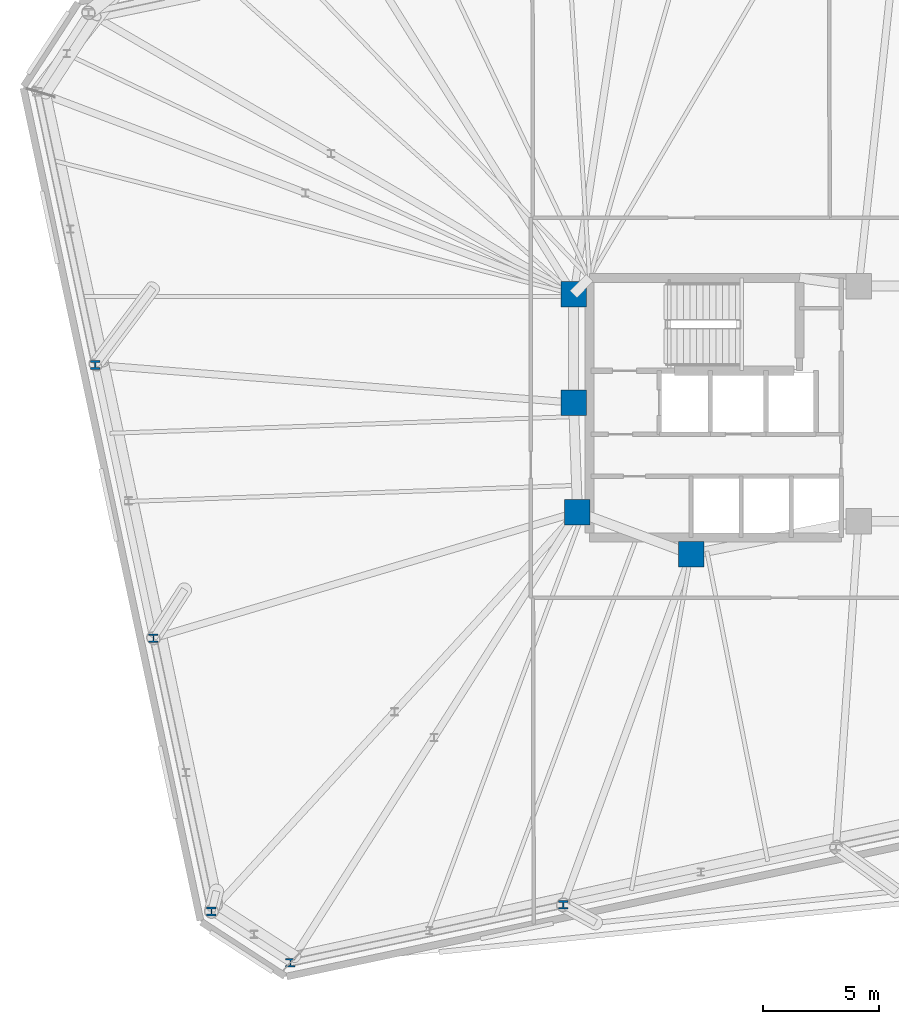
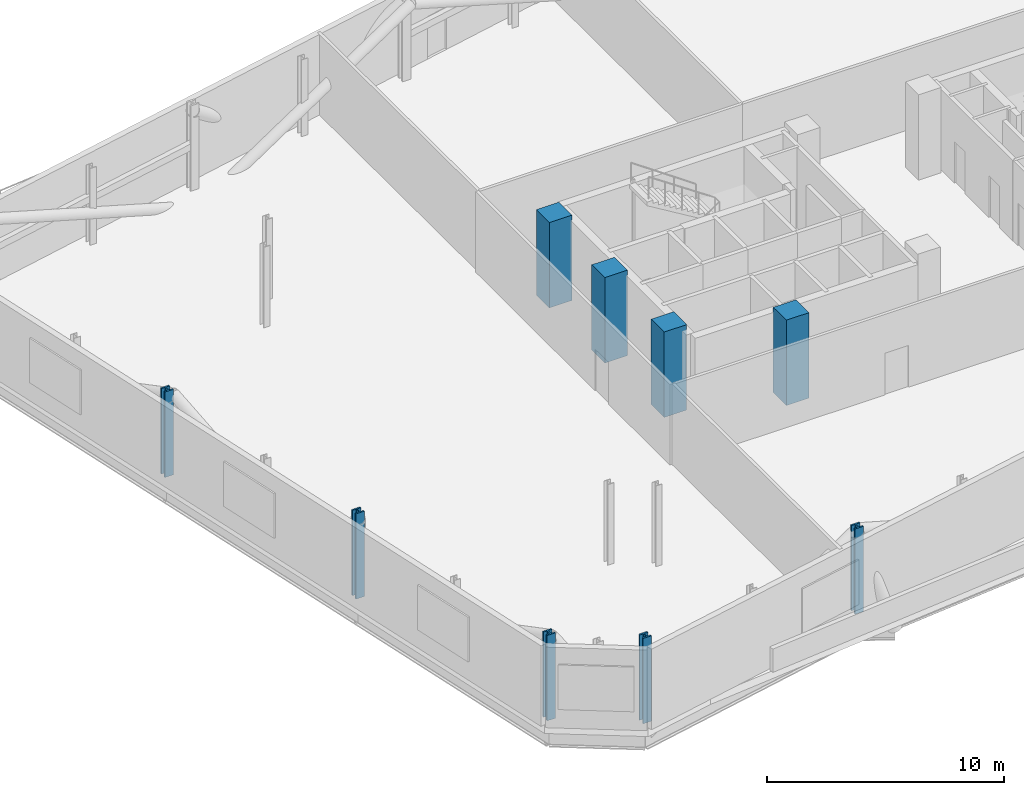
# One storey, part 1 of 19: 9 columns.
"""IFC4 building model written with IfcOpenShell, lengths in metres."""

from ifc_helpers import new_model, si_unit, direction, frame, origin, origin_2d, place, context, subcontext, project, spatial, rectangle, i_section, extrude, material, material_profile, profile_set, type_object, element, save


model = new_model("IFC4")

# Units and contexts
model_context = context("Model", 3, precision=1e-05, world=origin(), true_north=direction((0.0, 1.0)))
body_context = subcontext(model_context, "Body", "Model", "MODEL_VIEW")
ifc_project = project(units=[si_unit("LENGTHUNIT", "METRE"), si_unit("AREAUNIT", "SQUARE_METRE"), si_unit("VOLUMEUNIT", "CUBIC_METRE"), si_unit("PLANEANGLEUNIT", "RADIAN"), si_unit("MASSUNIT", "GRAM", prefix="KILO")], contexts=[model_context])

# Site, building, storey
site_placement = place(None, origin())
site = spatial("IfcSite", under=ifc_project, at=site_placement, CompositionType="ELEMENT")
building_placement = place(site_placement, origin())
building = spatial("IfcBuilding", under=site, at=building_placement, Name="Menara Jurai Vektor", CompositionType="ELEMENT")
storey_placement = place(building_placement, frame((0.0, 0.0, 142.89990234375)))
storey = spatial("IfcBuildingStorey", under=building, at=storey_placement, Name="L36", CompositionType="ELEMENT", Elevation=142.89990234375)

# Columns
ifc_material_1 = material(Name="Concrete C50/60", Category="concrete")
ifc_material_profile_1 = material_profile(ifc_material_1, rectangle(XDim=1.10009765625, YDim=1.10009765625, at=origin_2d()), Name="RC 1100x1100")
ifc_profile_set_1 = profile_set([ifc_material_profile_1], Name="Concrete C50/60")
column_type_1 = type_object("IfcColumnType", Name="STR-COL-RC1100", PredefinedType="COLUMN", material=ifc_profile_set_1)
for number, where, z_axis, x_axis, name in (
    (1, (-15.25, 4.89990234375, 0.0), (0.0, 0.0, 1.0), (1.0, 0.0, 0.0), "Core Spine Column CW-NW L36"),
    (2, (-15.25, 0.219970703125, 0.0), (0.0, 0.0, 1.0), (1.0, 0.0, 0.0), "Core Spine Column CW-WM L36"),
    (3, (-15.080078125, -4.5, 0.0), (0.0, 0.0, 1.0), (1.0, 0.0, 0.0), "Core Spine Column CW-SW L36"),
    (4, (-10.179931640625, -6.320068359375, 0.0), (0.0, 0.0, 1.0), (1.0, 0.0, 0.0), "Core Spine Column CW-SM L36"),
):
    element("IfcColumn", number, at=place(storey_placement, frame(where, z_axis=z_axis, x_axis=x_axis)), inside=storey, type_object=column_type_1, Name=name, PredefinedType="COLUMN", context=body_context, shape_type="SweptSolid", body=[
        extrude(rectangle(XDim=1.10009765625, YDim=1.10009765625, at=origin_2d()), origin(), (0.0, 0.0, 1.0), 4.400146484375),
    ])
ifc_material_2 = material(Name="Steel S460", Category="steel")
ifc_material_profile_2 = material_profile(ifc_material_2, i_section(OverallWidth=0.408935546875, OverallDepth=0.3740234375, WebThickness=0.048095703125, FlangeThickness=0.076904296875, FilletRadius=0.014892578125, at=origin_2d()), Name="HD 400x634")
ifc_profile_set_2 = profile_set([ifc_material_profile_2], Name="Steel S460")
column_type_2 = type_object("IfcColumnType", Name="STR-EXO-BLK3", PredefinedType="COLUMN", material=ifc_profile_set_2)
for number, where, z_axis, x_axis, name in (
    (5, (-27.46484375, -23.94580078125, 0.0), (0.0, 0.0, 1.0), (1.0, 0.0, 0.0), "Exoskeleton Column BLK3-S1 L36"),
    (6, (-15.696533203125, -21.4443359375, 0.0), (0.0, 0.0, 1.0), (1.0, 0.0, 0.0), "Exoskeleton Column BLK3-S2 L36"),
    (7, (-35.8828125, 1.843505859375, 0.0), (0.0, 0.0, 1.0), (1.0, 0.0, 0.0), "Exoskeleton Column BLK3-W2 L36"),
    (8, (-33.377197265625, -9.945068359375, 0.0), (0.0, 0.0, 1.0), (1.0, 0.0, 0.0), "Exoskeleton Column BLK3-W3 L36"),
    (9, (-30.871337890625, -21.7333984375, 0.0), (0.0, 0.0, 1.0), (1.0, 0.0, 0.0), "Exoskeleton Column BLK3-W4 L36"),
):
    element("IfcColumn", number, at=place(storey_placement, frame(where, z_axis=z_axis, x_axis=x_axis)), inside=storey, type_object=column_type_2, Name=name, PredefinedType="COLUMN", context=body_context, shape_type="SweptSolid", body=[
        extrude(i_section(OverallWidth=0.408935546875, OverallDepth=0.3740234375, WebThickness=0.048095703125, FlangeThickness=0.076904296875, FilletRadius=0.014892578125, at=origin_2d()), origin(), (0.0, 0.0, 1.0), 4.400146484375),
    ])

save(model, "model.ifc")
